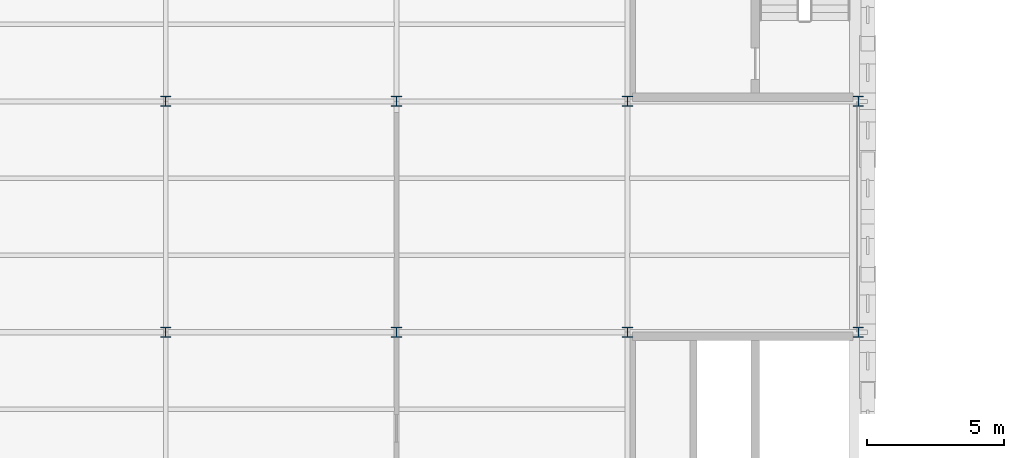
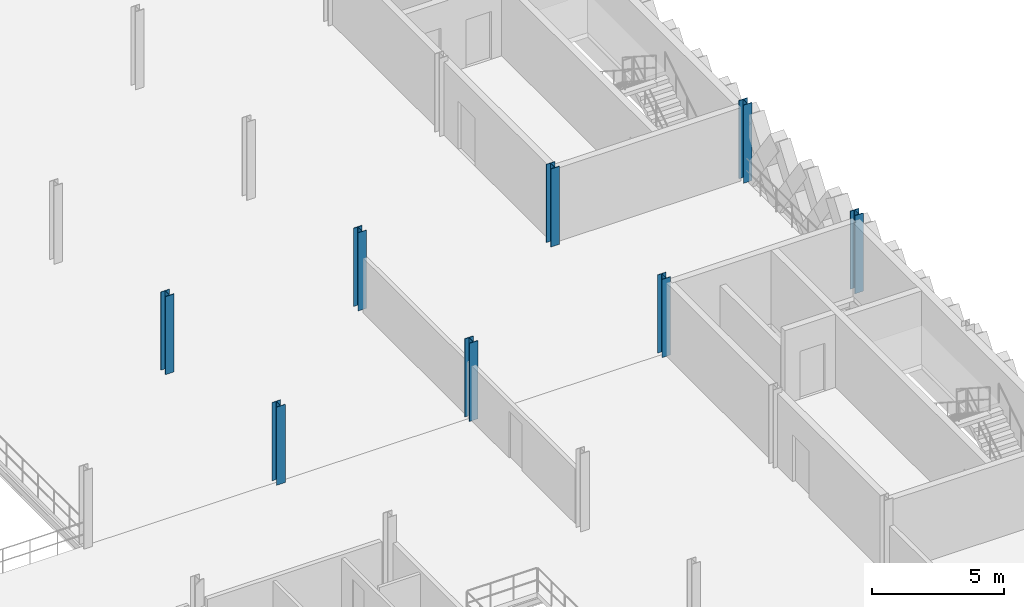
# One storey, part 6 of 74: 8 columns.
"""IFC4 building model written with IfcOpenShell, lengths in metres."""

from ifc_helpers import new_model, si_unit, direction, frame, origin, origin_2d, place, context, subcontext, project, spatial, i_section, extrude, material, material_profile, profile_set, type_object, element, save


model = new_model("IFC4")

# Units and contexts
model_context = context("Model", 3, precision=1e-05, world=origin(), true_north=direction((0.0, 1.0)))
body_context = subcontext(model_context, "Body", "Model", "MODEL_VIEW")
ifc_project = project(units=[si_unit("LENGTHUNIT", "METRE"), si_unit("AREAUNIT", "SQUARE_METRE"), si_unit("VOLUMEUNIT", "CUBIC_METRE"), si_unit("PLANEANGLEUNIT", "RADIAN"), si_unit("MASSUNIT", "GRAM", prefix="KILO"), si_unit("THERMODYNAMICTEMPERATUREUNIT", "KELVIN"), si_unit("POWERUNIT", "WATT")], contexts=[model_context])

# Site, building, storey
site_placement = place(None, origin())
site = spatial("IfcSite", under=ifc_project, at=site_placement, CompositionType="ELEMENT")
building_placement = place(site_placement, origin())
building = spatial("IfcBuilding", under=site, at=building_placement, Name="Tembeka Court Mobility Hub", CompositionType="ELEMENT")
storey_placement = place(building_placement, frame((0.0, 0.0, 12.60009765625)))
storey = spatial("IfcBuildingStorey", under=building, at=storey_placement, Name="L03", CompositionType="ELEMENT", Elevation=12.60009765625)

# Columns
ifc_material = material(Name="Steel S355", Category="steel")
ifc_material_profile = material_profile(ifc_material, i_section(OverallWidth=0.373046875, OverallDepth=0.367919921875, WebThickness=0.014404296875, FlangeThickness=0.023681640625, FilletRadius=0.01513671875, at=origin_2d()), Name="UKC 356x368x177")
ifc_profile_set = profile_set([ifc_material_profile], Name="Steel S355")
column_type = type_object("IfcColumnType", Name="COL-C03", PredefinedType="COLUMN", material=ifc_profile_set)
for number, where, z_axis, x_axis, name in (
    (1, (67.199951171875, 55.199951171875, 0.0), (0.0, 0.0, 1.0), (1.0, 0.0, 0.0), "Column C03 (L03-097)"),
    (2, (67.199951171875, 63.60009765625, 0.0), (0.0, 0.0, 1.0), (1.0, 0.0, 0.0), "Column C03 (L03-098)"),
    (3, (75.60009765625, 55.199951171875, 0.0), (0.0, 0.0, 1.0), (1.0, 0.0, 0.0), "Column C03 (L03-107)"),
    (4, (75.60009765625, 63.60009765625, 0.0), (0.0, 0.0, 1.0), (1.0, 0.0, 0.0), "Column C03 (L03-108)"),
    (5, (84.0, 55.199951171875, 0.0), (0.0, 0.0, 1.0), (1.0, 0.0, 0.0), "Column C03 (L03-118)"),
    (6, (84.0, 63.60009765625, 0.0), (0.0, 0.0, 1.0), (1.0, 0.0, 0.0), "Column C03 (L03-119)"),
    (7, (92.39990234375, 55.199951171875, 0.0), (0.0, 0.0, 1.0), (1.0, 0.0, 0.0), "Column C03 (L03-130)"),
    (8, (92.39990234375, 63.60009765625, 0.0), (0.0, 0.0, 1.0), (1.0, 0.0, 0.0), "Column C03 (L03-131)"),
):
    element("IfcColumn", number, at=place(storey_placement, frame(where, z_axis=z_axis, x_axis=x_axis)), inside=storey, type_object=column_type, Name=name, PredefinedType="COLUMN", context=body_context, shape_type="SweptSolid", body=[
        extrude(i_section(OverallWidth=0.373046875, OverallDepth=0.367919921875, WebThickness=0.014404296875, FlangeThickness=0.023681640625, FilletRadius=0.01513671875, at=origin_2d()), origin(), (0.0, 0.0, 1.0), 3.599853515625),
    ])

save(model, "model.ifc")
